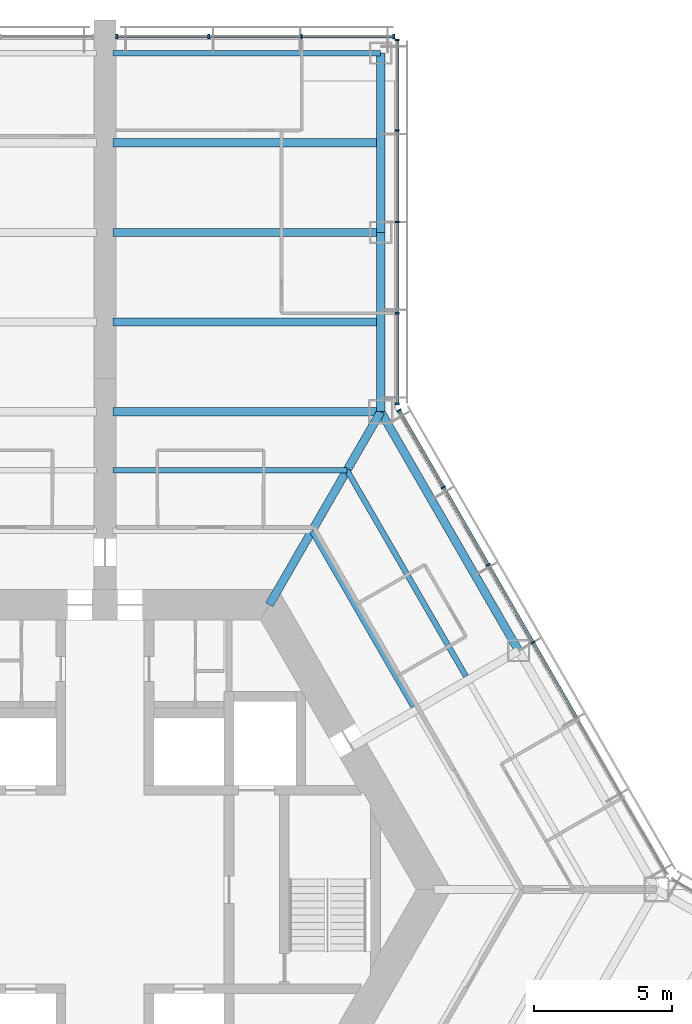
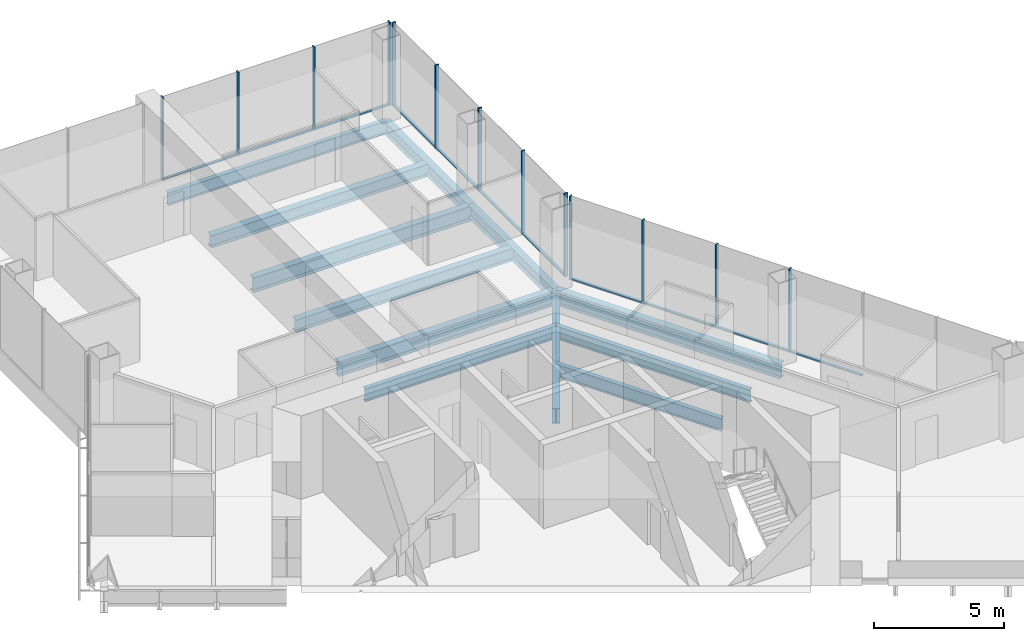
# One storey, part 8 of 18: 24 members, 12 beams, 3 elements without a shape of their own.
"""IFC4 building model written with IfcOpenShell, lengths in metres."""

from ifc_helpers import new_model, si_unit, direction, frame, origin, origin_2d, place, context, subcontext, project, spatial, rectangle, i_section, extrude, material, material_profile, profile_set, type_object, element, aggregate, save


model = new_model("IFC4")

# Units and contexts
model_context = context("Model", 3, precision=1e-05, world=origin(), true_north=direction((0.0, 1.0)))
body_context = subcontext(model_context, "Body", "Model", "MODEL_VIEW")
ifc_project = project(units=[si_unit("LENGTHUNIT", "METRE"), si_unit("AREAUNIT", "SQUARE_METRE"), si_unit("VOLUMEUNIT", "CUBIC_METRE"), si_unit("PLANEANGLEUNIT", "RADIAN"), si_unit("MASSUNIT", "GRAM", prefix="KILO")], contexts=[model_context])

# Site, building, storey
site_placement = place(None, origin())
site = spatial("IfcSite", under=ifc_project, at=site_placement, CompositionType="ELEMENT")
building_placement = place(site_placement, origin())
building = spatial("IfcBuilding", under=site, at=building_placement, Name="Kasaneha Research Tower", CompositionType="ELEMENT")
storey_placement = place(building_placement, frame((0.0, 0.0, 61.199951171875)))
storey = spatial("IfcBuildingStorey", under=building, at=storey_placement, Name="L15", CompositionType="ELEMENT", Elevation=61.199951171875)

# Beams
ifc_material_1 = material(Name="Steel SN490B", Category="steel")
ifc_material_profile_1 = material_profile(ifc_material_1, i_section(OverallWidth=0.199951171875, OverallDepth=0.60009765625, WebThickness=0.010986328125, FlangeThickness=0.01708984375, FilletRadius=0.012939453125, at=origin_2d()), Name="H-600x200x11x17")
ifc_profile_set_1 = profile_set([ifc_material_profile_1], Name="Steel SN490B")
beam_type_1 = type_object("IfcBeamType", Name="B1-3 secondary beam H-600x200x11x17", PredefinedType="JOIST", material=ifc_profile_set_1)
beam_1_placement = place(storey_placement, frame((7.505615234375, 13.0, -0.449951171875), z_axis=(0.499994443168, -0.866028611999, 0.0), x_axis=(0.866028611999, 0.499994443168, 0.0)))
element("IfcBeam", 1, at=beam_1_placement, inside=storey, type_object=beam_type_1, Name="Secondary beam RS030R1 L15", PredefinedType="JOIST", context=body_context, shape_type="SweptSolid", body=[
    extrude(i_section(OverallWidth=0.199951171875, OverallDepth=0.60009765625, WebThickness=0.010986328125, FlangeThickness=0.01708984375, FilletRadius=0.012939453125, at=origin_2d()), origin(), (0.0, 0.0, 1.0), 7.35546875),
])
beam_2_placement = place(storey_placement, frame((8.775634765625, 15.199951171875, -0.449951171875), z_axis=(0.500017275495, -0.866015429543, 0.0), x_axis=(0.866015429543, 0.500017275495, 0.0)))
element("IfcBeam", 2, at=beam_2_placement, inside=storey, type_object=beam_type_1, Name="Secondary beam RS030R2 L15", PredefinedType="JOIST", context=body_context, shape_type="SweptSolid", body=[
    extrude(i_section(OverallWidth=0.199951171875, OverallDepth=0.60009765625, WebThickness=0.010986328125, FlangeThickness=0.01708984375, FilletRadius=0.012939453125, at=origin_2d()), origin(), (0.0, 0.0, 1.0), 8.625732421875),
])
beam_3_placement = place(storey_placement, frame((8.775634765625, 15.199951171875, -0.449951171875), z_axis=(-1.0, 0.0, 0.0), x_axis=(0.0, -1.0, 0.0)))
element("IfcBeam", 3, at=beam_3_placement, inside=storey, type_object=beam_type_1, Name="Secondary beam RS090L2 L15", PredefinedType="JOIST", context=body_context, shape_type="SweptSolid", body=[
    extrude(i_section(OverallWidth=0.199951171875, OverallDepth=0.60009765625, WebThickness=0.010986328125, FlangeThickness=0.01708984375, FilletRadius=0.012939453125, at=origin_2d()), origin(), (0.0, 0.0, 1.0), 8.4755859375),
])
ifc_material_2 = material(Name="Steel SN490B", Category="steel")
ifc_material_profile_2 = material_profile(ifc_material_2, i_section(OverallWidth=0.300048828125, OverallDepth=0.58203125, WebThickness=0.011962890625, FlangeThickness=0.01708984375, FilletRadius=0.012939453125, at=origin_2d()), Name="H-582x300x12x17")
ifc_profile_set_2 = profile_set([ifc_material_profile_2], Name="Steel SN490B")
beam_type_2 = type_object("IfcBeamType", Name="B2-3 secondary beam H-582x300x12x17", PredefinedType="JOIST", material=ifc_profile_set_2)
for number, where, z_axis, x_axis, name in (
    (4, (10.0, 20.570556640625, -0.44091796875), (-1.0, 0.0, 0.0), (0.0, -1.0, 0.0), "Secondary beam WBAP1 L15"),
    (5, (10.0, 27.070556640625, -0.44091796875), (-1.0, 0.0, 0.0), (0.0, -1.0, 0.0), "Secondary beam WBAP2 L15"),
):
    element("IfcBeam", number, at=place(storey_placement, frame(where, z_axis=z_axis, x_axis=x_axis)), inside=storey, type_object=beam_type_2, Name=name, PredefinedType="JOIST", context=body_context, shape_type="SweptSolid", body=[
        extrude(i_section(OverallWidth=0.300048828125, OverallDepth=0.58203125, WebThickness=0.011962890625, FlangeThickness=0.01708984375, FilletRadius=0.012939453125, at=origin_2d()), origin(), (0.0, 0.0, 1.0), 9.699951171875),
    ])

# Curtain wall, members
ifc_material_3 = material(Name="Glass and aluminium", Category="aluminium")
curtain_wall_type = type_object("IfcCurtainWallType", Name="Low-rise office curtain wall", PredefinedType="USERDEFINED", material=ifc_material_3)
curtain_wall_1_placement = place(storey_placement, origin())
curtain_wall_1 = element("IfcCurtainWall", 6, at=curtain_wall_1_placement, inside=storey, type_object=curtain_wall_type, Name="CW-O1 L15 run 07a", ObjectType="UNITISED CURTAIN WALL", PredefinedType="USERDEFINED")
ifc_material_4 = material(Name="Aluminium 6063-T6", Category="aluminium")
ifc_material_profile_3 = material_profile(ifc_material_4, rectangle(XDim=0.06005859375, YDim=0.159912109375, at=origin_2d()), Name="CW-O1 mullion 60x160")
ifc_profile_set_3 = profile_set([ifc_material_profile_3], Name="Aluminium 6063-T6")
member_type_1 = type_object("IfcMemberType", Name="CW-O1 mullion", PredefinedType="MULLION", material=ifc_profile_set_3)
member_1_placement = place(storey_placement, frame((15.51953125, 8.960205078125, 0.0), z_axis=(0.0, 0.0, 1.0), x_axis=(-0.49999996188, 0.866025425793, 0.0)))
member_1 = element("IfcMember", 7, at=member_1_placement, type_object=member_type_1, Name="CW-O1 mullion 4", PredefinedType="MULLION", context=body_context, shape_type="SweptSolid", body=[
    extrude(rectangle(XDim=0.06005859375, YDim=0.159912109375, at=origin_2d()), origin(), (0.0, 0.0, 1.0), 3.900146484375),
])
member_2_placement = place(storey_placement, frame((13.896484375, 11.771728515625, 0.0), z_axis=(0.0, 0.0, 1.0), x_axis=(-0.49999996188, 0.866025425793, 0.0)))
member_2 = element("IfcMember", 8, at=member_2_placement, type_object=member_type_1, Name="CW-O1 mullion 5", PredefinedType="MULLION", context=body_context, shape_type="SweptSolid", body=[
    extrude(rectangle(XDim=0.06005859375, YDim=0.159912109375, at=origin_2d()), origin(), (0.0, 0.0, 1.0), 3.900146484375),
])
member_3_placement = place(storey_placement, frame((12.273193359375, 14.583251953125, 0.0), z_axis=(0.0, 0.0, 1.0), x_axis=(-0.49999996188, 0.866025425793, 0.0)))
member_3 = element("IfcMember", 9, at=member_3_placement, type_object=member_type_1, Name="CW-O1 mullion 6", PredefinedType="MULLION", context=body_context, shape_type="SweptSolid", body=[
    extrude(rectangle(XDim=0.06005859375, YDim=0.159912109375, at=origin_2d()), origin(), (0.0, 0.0, 1.0), 3.900146484375),
])
member_4_placement = place(storey_placement, frame((10.6650390625, 17.36865234375, 0.0), z_axis=(0.0, 0.0, 1.0), x_axis=(-0.49999996188, 0.866025425793, 0.0)))
member_4 = element("IfcMember", 10, at=member_4_placement, type_object=member_type_1, Name="CW-O1 mullion 7", PredefinedType="MULLION", context=body_context, shape_type="SweptSolid", body=[
    extrude(rectangle(XDim=0.06005859375, YDim=0.159912109375, at=origin_2d()), origin(), (0.0, 0.0, 1.0), 3.900146484375),
])

curtain_wall_2_placement = place(storey_placement, origin())
curtain_wall_2 = element("IfcCurtainWall", 11, at=curtain_wall_2_placement, inside=storey, type_object=curtain_wall_type, Name="CW-O1 L15 run 08a", ObjectType="UNITISED CURTAIN WALL", PredefinedType="USERDEFINED")
member_5_placement = place(storey_placement, frame((10.60009765625, 17.611328125, 0.0), z_axis=(0.0, 0.0, 1.0), x_axis=(0.0, 1.0, 0.0)))
member_5 = element("IfcMember", 12, at=member_5_placement, type_object=member_type_1, Name="CW-O1 mullion 1", PredefinedType="MULLION", context=body_context, shape_type="SweptSolid", body=[
    extrude(rectangle(XDim=0.06005859375, YDim=0.159912109375, at=origin_2d()), origin(), (0.0, 0.0, 1.0), 3.900146484375),
])
member_6_placement = place(storey_placement, frame((10.60009765625, 20.89111328125, 0.0), z_axis=(0.0, 0.0, 1.0), x_axis=(0.0, 1.0, 0.0)))
member_6 = element("IfcMember", 13, at=member_6_placement, type_object=member_type_1, Name="CW-O1 mullion 2", PredefinedType="MULLION", context=body_context, shape_type="SweptSolid", body=[
    extrude(rectangle(XDim=0.06005859375, YDim=0.159912109375, at=origin_2d()), origin(), (0.0, 0.0, 1.0), 3.900146484375),
])
member_7_placement = place(storey_placement, frame((10.60009765625, 24.200927734375, 0.0), z_axis=(0.0, 0.0, 1.0), x_axis=(0.0, 1.0, 0.0)))
member_7 = element("IfcMember", 14, at=member_7_placement, type_object=member_type_1, Name="CW-O1 mullion 3", PredefinedType="MULLION", context=body_context, shape_type="SweptSolid", body=[
    extrude(rectangle(XDim=0.06005859375, YDim=0.159912109375, at=origin_2d()), origin(), (0.0, 0.0, 1.0), 3.900146484375),
])
member_8_placement = place(storey_placement, frame((10.60009765625, 27.5107421875, 0.0), z_axis=(0.0, 0.0, 1.0), x_axis=(0.0, 1.0, 0.0)))
member_8 = element("IfcMember", 15, at=member_8_placement, type_object=member_type_1, Name="CW-O1 mullion 4", PredefinedType="MULLION", context=body_context, shape_type="SweptSolid", body=[
    extrude(rectangle(XDim=0.06005859375, YDim=0.159912109375, at=origin_2d()), origin(), (0.0, 0.0, 1.0), 3.900146484375),
])
member_9_placement = place(storey_placement, frame((10.60009765625, 30.79052734375, 0.0), z_axis=(0.0, 0.0, 1.0), x_axis=(0.0, 1.0, 0.0)))
member_9 = element("IfcMember", 16, at=member_9_placement, type_object=member_type_1, Name="CW-O1 mullion 5", PredefinedType="MULLION", context=body_context, shape_type="SweptSolid", body=[
    extrude(rectangle(XDim=0.06005859375, YDim=0.159912109375, at=origin_2d()), origin(), (0.0, 0.0, 1.0), 3.900146484375),
])

curtain_wall_3_placement = place(storey_placement, origin())
curtain_wall_3 = element("IfcCurtainWall", 17, at=curtain_wall_3_placement, inside=storey, type_object=curtain_wall_type, Name="CW-O1 L15 run 09a", ObjectType="UNITISED CURTAIN WALL", PredefinedType="USERDEFINED")
member_10_placement = place(storey_placement, frame((10.469970703125, 30.92041015625, 0.0), z_axis=(0.0, 0.0, 1.0), x_axis=(-1.0, 0.0, 0.0)))
member_10 = element("IfcMember", 18, at=member_10_placement, type_object=member_type_1, Name="CW-O1 mullion 1", PredefinedType="MULLION", context=body_context, shape_type="SweptSolid", body=[
    extrude(rectangle(XDim=0.06005859375, YDim=0.159912109375, at=origin_2d()), origin(), (0.0, 0.0, 1.0), 3.900146484375),
])
member_11_placement = place(storey_placement, frame((7.13330078125, 30.92041015625, 0.0), z_axis=(0.0, 0.0, 1.0), x_axis=(-1.0, 0.0, 0.0)))
member_11 = element("IfcMember", 19, at=member_11_placement, type_object=member_type_1, Name="CW-O1 mullion 2", PredefinedType="MULLION", context=body_context, shape_type="SweptSolid", body=[
    extrude(rectangle(XDim=0.06005859375, YDim=0.159912109375, at=origin_2d()), origin(), (0.0, 0.0, 1.0), 3.900146484375),
])
member_12_placement = place(storey_placement, frame((3.7666015625, 30.92041015625, 0.0), z_axis=(0.0, 0.0, 1.0), x_axis=(-1.0, 0.0, 0.0)))
member_12 = element("IfcMember", 20, at=member_12_placement, type_object=member_type_1, Name="CW-O1 mullion 3", PredefinedType="MULLION", context=body_context, shape_type="SweptSolid", body=[
    extrude(rectangle(XDim=0.06005859375, YDim=0.159912109375, at=origin_2d()), origin(), (0.0, 0.0, 1.0), 3.900146484375),
])
member_13_placement = place(storey_placement, frame((0.429931640625, 30.92041015625, 0.0), z_axis=(0.0, 0.0, 1.0), x_axis=(-1.0, 0.0, 0.0)))
member_13 = element("IfcMember", 21, at=member_13_placement, type_object=member_type_1, Name="CW-O1 mullion 4", PredefinedType="MULLION", context=body_context, shape_type="SweptSolid", body=[
    extrude(rectangle(XDim=0.06005859375, YDim=0.159912109375, at=origin_2d()), origin(), (0.0, 0.0, 1.0), 3.900146484375),
])

# Member
ifc_material_5 = material(Name="Aluminium 6063-T6", Category="aluminium")
ifc_material_profile_4 = material_profile(ifc_material_5, rectangle(XDim=0.1201171875, YDim=0.06005859375, at=origin_2d()), Name="CW-O1 transom 120x60")
ifc_profile_set_4 = profile_set([ifc_material_profile_4], Name="Aluminium 6063-T6")
member_type_2 = type_object("IfcMemberType", Name="CW-O1 transom", PredefinedType="USERDEFINED", material=ifc_profile_set_4)
member_14_placement = place(storey_placement, frame((17.1279296875, 6.1748046875, 0.030029296875), z_axis=(-0.500012062035, 0.866018439653, 0.0), x_axis=(-0.866018439653, -0.500012062035, 0.0)))
member_14 = element("IfcMember", 22, at=member_14_placement, type_object=member_type_2, Name="CW-O1 transom 3", ObjectType="TRANSOM", PredefinedType="USERDEFINED", context=body_context, shape_type="SweptSolid", body=[
    extrude(rectangle(XDim=0.1201171875, YDim=0.06005859375, at=origin_2d()), origin(), (0.0, 0.0, 1.0), 3.1865234375),
])

member_15_placement = place(storey_placement, frame((15.504638671875, 8.986328125, 0.030029296875), z_axis=(-0.500012062035, 0.866018439653, 0.0), x_axis=(-0.866018439653, -0.500012062035, 0.0)))
member_15 = element("IfcMember", 23, at=member_15_placement, type_object=member_type_2, Name="CW-O1 transom 4", ObjectType="TRANSOM", PredefinedType="USERDEFINED", context=body_context, shape_type="SweptSolid", body=[
    extrude(rectangle(XDim=0.1201171875, YDim=0.06005859375, at=origin_2d()), origin(), (0.0, 0.0, 1.0), 3.1865234375),
])

member_16_placement = place(storey_placement, frame((13.88134765625, 11.797607421875, 0.030029296875), z_axis=(-0.500012062035, 0.866018439653, 0.0), x_axis=(-0.866018439653, -0.500012062035, 0.0)))
member_16 = element("IfcMember", 24, at=member_16_placement, type_object=member_type_2, Name="CW-O1 transom 5", ObjectType="TRANSOM", PredefinedType="USERDEFINED", context=body_context, shape_type="SweptSolid", body=[
    extrude(rectangle(XDim=0.1201171875, YDim=0.06005859375, at=origin_2d()), origin(), (0.0, 0.0, 1.0), 3.1865234375),
])

member_17_placement = place(storey_placement, frame((12.25830078125, 14.609130859375, 0.030029296875), z_axis=(-0.500023726918, 0.866011704609, 0.0), x_axis=(-0.866011704609, -0.500023726918, 0.0)))
member_17 = element("IfcMember", 25, at=member_17_placement, type_object=member_type_2, Name="CW-O1 transom 6", ObjectType="TRANSOM", PredefinedType="USERDEFINED", context=body_context, shape_type="SweptSolid", body=[
    extrude(rectangle(XDim=0.1201171875, YDim=0.06005859375, at=origin_2d()), origin(), (0.0, 0.0, 1.0), 3.156494140625),
])

aggregate(curtain_wall_1, [member_1, member_2, member_3, member_4, member_14, member_15, member_16, member_17])

member_18_placement = place(storey_placement, frame((10.60009765625, 17.641357421875, 0.030029296875), z_axis=(0.0, 1.0, 0.0), x_axis=(-1.0, 0.0, 0.0)))
member_18 = element("IfcMember", 26, at=member_18_placement, type_object=member_type_2, Name="CW-O1 transom 1", ObjectType="TRANSOM", PredefinedType="USERDEFINED", context=body_context, shape_type="SweptSolid", body=[
    extrude(rectangle(XDim=0.1201171875, YDim=0.06005859375, at=origin_2d()), origin(), (0.0, 0.0, 1.0), 3.2197265625),
])

member_19_placement = place(storey_placement, frame((10.60009765625, 20.921142578125, 0.030029296875), z_axis=(0.0, 1.0, 0.0), x_axis=(-1.0, 0.0, 0.0)))
member_19 = element("IfcMember", 27, at=member_19_placement, type_object=member_type_2, Name="CW-O1 transom 2", ObjectType="TRANSOM", PredefinedType="USERDEFINED", context=body_context, shape_type="SweptSolid", body=[
    extrude(rectangle(XDim=0.1201171875, YDim=0.06005859375, at=origin_2d()), origin(), (0.0, 0.0, 1.0), 3.249755859375),
])

member_20_placement = place(storey_placement, frame((10.60009765625, 24.23095703125, 0.030029296875), z_axis=(0.0, 1.0, 0.0), x_axis=(-1.0, 0.0, 0.0)))
member_20 = element("IfcMember", 28, at=member_20_placement, type_object=member_type_2, Name="CW-O1 transom 3", ObjectType="TRANSOM", PredefinedType="USERDEFINED", context=body_context, shape_type="SweptSolid", body=[
    extrude(rectangle(XDim=0.1201171875, YDim=0.06005859375, at=origin_2d()), origin(), (0.0, 0.0, 1.0), 3.249755859375),
])

member_21_placement = place(storey_placement, frame((10.60009765625, 27.540771484375, 0.030029296875), z_axis=(0.0, 1.0, 0.0), x_axis=(-1.0, 0.0, 0.0)))
member_21 = element("IfcMember", 29, at=member_21_placement, type_object=member_type_2, Name="CW-O1 transom 4", ObjectType="TRANSOM", PredefinedType="USERDEFINED", context=body_context, shape_type="SweptSolid", body=[
    extrude(rectangle(XDim=0.1201171875, YDim=0.06005859375, at=origin_2d()), origin(), (0.0, 0.0, 1.0), 3.2197265625),
])

aggregate(curtain_wall_2, [member_5, member_6, member_7, member_8, member_9, member_18, member_19, member_20, member_21])

member_22_placement = place(storey_placement, frame((10.43994140625, 30.92041015625, 0.030029296875), z_axis=(-1.0, 0.0, 0.0), x_axis=(0.0, -1.0, 0.0)))
member_22 = element("IfcMember", 30, at=member_22_placement, type_object=member_type_2, Name="CW-O1 transom 1", ObjectType="TRANSOM", PredefinedType="USERDEFINED", context=body_context, shape_type="SweptSolid", body=[
    extrude(rectangle(XDim=0.1201171875, YDim=0.06005859375, at=origin_2d()), origin(), (0.0, 0.0, 1.0), 3.276611328125),
])

member_23_placement = place(storey_placement, frame((7.103271484375, 30.92041015625, 0.030029296875), z_axis=(-1.0, 0.0, 0.0), x_axis=(0.0, -1.0, 0.0)))
member_23 = element("IfcMember", 31, at=member_23_placement, type_object=member_type_2, Name="CW-O1 transom 2", ObjectType="TRANSOM", PredefinedType="USERDEFINED", context=body_context, shape_type="SweptSolid", body=[
    extrude(rectangle(XDim=0.1201171875, YDim=0.06005859375, at=origin_2d()), origin(), (0.0, 0.0, 1.0), 3.306640625),
])

member_24_placement = place(storey_placement, frame((3.736572265625, 30.92041015625, 0.030029296875), z_axis=(-1.0, 0.0, 0.0), x_axis=(0.0, -1.0, 0.0)))
member_24 = element("IfcMember", 32, at=member_24_placement, type_object=member_type_2, Name="CW-O1 transom 3", ObjectType="TRANSOM", PredefinedType="USERDEFINED", context=body_context, shape_type="SweptSolid", body=[
    extrude(rectangle(XDim=0.1201171875, YDim=0.06005859375, at=origin_2d()), origin(), (0.0, 0.0, 1.0), 3.276611328125),
])

aggregate(curtain_wall_3, [member_10, member_11, member_12, member_13, member_22, member_23, member_24])

# Beams
ifc_material_6 = material(Name="Steel SN490B", Category="steel")
ifc_material_profile_5 = material_profile(ifc_material_6, i_section(OverallWidth=0.300048828125, OverallDepth=0.699951171875, WebThickness=0.012939453125, FlangeThickness=0.02392578125, FilletRadius=0.01806640625, at=origin_2d()), Name="H-700x300x13x24")
ifc_profile_set_5 = profile_set([ifc_material_profile_5], Name="Steel SN490B")
beam_type_3 = type_object("IfcBeamType", Name="G1-3 radial girder H-700x300x13x24", PredefinedType="BEAM", material=ifc_profile_set_5)
beam_4_placement = place(storey_placement, frame((5.961181640625, 10.324951171875, -0.5), z_axis=(0.49999105496, 0.866030568144, 0.0), x_axis=(-0.866030568144, 0.49999105496, 0.0)))
element("IfcBeam", 33, at=beam_4_placement, inside=storey, type_object=beam_type_3, Name="Radial girder RV060 L15", PredefinedType="BEAM", context=body_context, shape_type="SweptSolid", body=[
    extrude(i_section(OverallWidth=0.300048828125, OverallDepth=0.699951171875, WebThickness=0.012939453125, FlangeThickness=0.02392578125, FilletRadius=0.01806640625, at=origin_2d()), origin(), (0.0, 0.0, 1.0), 8.077880859375),
])
ifc_material_7 = material(Name="Steel SN490B", Category="steel")
ifc_material_profile_6 = material_profile(ifc_material_7, i_section(OverallWidth=0.300048828125, OverallDepth=0.69189453125, WebThickness=0.012939453125, FlangeThickness=0.02001953125, FilletRadius=0.01806640625, at=origin_2d()), Name="H-692x300x13x20")
ifc_profile_set_6 = profile_set([ifc_material_profile_6], Name="Steel SN490B")
beam_type_4 = type_object("IfcBeamType", Name="G3-3 plate edge girder H-692x300x13x20", PredefinedType="BEAM", material=ifc_profile_set_6)
beam_5_placement = place(storey_placement, frame((10.0, 17.320556640625, -0.495849609375), z_axis=(-1.0, 0.0, 0.0), x_axis=(0.0, -1.0, 0.0)))
element("IfcBeam", 34, at=beam_5_placement, inside=storey, type_object=beam_type_4, Name="Plate edge girder PEAP L15", PredefinedType="BEAM", context=body_context, shape_type="SweptSolid", body=[
    extrude(i_section(OverallWidth=0.300048828125, OverallDepth=0.69189453125, WebThickness=0.012939453125, FlangeThickness=0.02001953125, FilletRadius=0.01806640625, at=origin_2d()), origin(), (0.0, 0.0, 1.0), 9.699951171875),
])
ifc_material_8 = material(Name="Steel SN490B", Category="steel")
ifc_material_profile_7 = material_profile(ifc_material_8, i_section(OverallWidth=0.300048828125, OverallDepth=0.699951171875, WebThickness=0.012939453125, FlangeThickness=0.02392578125, FilletRadius=0.01806640625, at=origin_2d()), Name="H-700x300x13x24")
ifc_profile_set_7 = profile_set([ifc_material_profile_7], Name="Steel SN490B")
beam_type_5 = type_object("IfcBeamType", Name="G4-3 wing girder H-700x300x13x24", PredefinedType="BEAM", material=ifc_profile_set_7)
beam_6_placement = place(storey_placement, frame((10.0, 23.820556640625, -0.5), z_axis=(-1.0, 0.0, 0.0), x_axis=(0.0, -1.0, 0.0)))
element("IfcBeam", 35, at=beam_6_placement, inside=storey, type_object=beam_type_5, Name="Wing girder WGAP L15", PredefinedType="BEAM", context=body_context, shape_type="SweptSolid", body=[
    extrude(i_section(OverallWidth=0.300048828125, OverallDepth=0.699951171875, WebThickness=0.012939453125, FlangeThickness=0.02392578125, FilletRadius=0.01806640625, at=origin_2d()), origin(), (0.0, 0.0, 1.0), 9.699951171875),
])
ifc_material_9 = material(Name="Steel SN490B", Category="steel")
ifc_material_profile_8 = material_profile(ifc_material_9, i_section(OverallWidth=0.300048828125, OverallDepth=0.69189453125, WebThickness=0.012939453125, FlangeThickness=0.02001953125, FilletRadius=0.01806640625, at=origin_2d()), Name="H-692x300x13x20")
ifc_profile_set_8 = profile_set([ifc_material_profile_8], Name="Steel SN490B")
beam_type_6 = type_object("IfcBeamType", Name="SB1-3 spandrel beam H-692x300x13x20", PredefinedType="SPANDREL", material=ifc_profile_set_8)
beam_7_placement = place(storey_placement, frame((10.0, 17.320556640625, -0.495849609375), z_axis=(0.499993662806, -0.866029062534, 0.0), x_axis=(0.866029062534, 0.499993662806, 0.0)))
element("IfcBeam", 36, at=beam_7_placement, inside=storey, type_object=beam_type_6, Name="Spandrel beam SR030R L15", PredefinedType="SPANDREL", context=body_context, shape_type="SweptSolid", body=[
    extrude(i_section(OverallWidth=0.300048828125, OverallDepth=0.69189453125, WebThickness=0.012939453125, FlangeThickness=0.02001953125, FilletRadius=0.01806640625, at=origin_2d()), origin(), (0.0, 0.0, 1.0), 10.000244140625),
])
ifc_material_10 = material(Name="Steel SN490B", Category="steel")
ifc_material_profile_9 = material_profile(ifc_material_10, i_section(OverallWidth=0.300048828125, OverallDepth=0.58203125, WebThickness=0.011962890625, FlangeThickness=0.01708984375, FilletRadius=0.012939453125, at=origin_2d()), Name="H-582x300x12x17")
ifc_profile_set_9 = profile_set([ifc_material_profile_9], Name="Steel SN490B")
beam_type_7 = type_object("IfcBeamType", Name="SB2-3 spandrel beam H-582x300x12x17", PredefinedType="SPANDREL", material=ifc_profile_set_9)
for number, where, z_axis, x_axis, name in (
    (37, (10.0, 17.320556640625, -0.44091796875), (0.0, 1.0, 0.0), (-1.0, 0.0, 0.0), "Spandrel beam WSAP1 L15"),
    (38, (10.0, 23.820556640625, -0.44091796875), (0.0, 1.0, 0.0), (-1.0, 0.0, 0.0), "Spandrel beam WSAP2 L15"),
):
    element("IfcBeam", number, at=place(storey_placement, frame(where, z_axis=z_axis, x_axis=x_axis)), inside=storey, type_object=beam_type_7, Name=name, PredefinedType="SPANDREL", context=body_context, shape_type="SweptSolid", body=[
        extrude(i_section(OverallWidth=0.300048828125, OverallDepth=0.58203125, WebThickness=0.011962890625, FlangeThickness=0.01708984375, FilletRadius=0.012939453125, at=origin_2d()), origin(), (0.0, 0.0, 1.0), 6.5),
    ])
ifc_material_11 = material(Name="Steel SN490B", Category="steel")
ifc_material_profile_10 = material_profile(ifc_material_11, i_section(OverallWidth=0.199951171875, OverallDepth=0.60009765625, WebThickness=0.010986328125, FlangeThickness=0.01708984375, FilletRadius=0.012939453125, at=origin_2d()), Name="H-600x200x11x17")
ifc_profile_set_10 = profile_set([ifc_material_profile_10], Name="Steel SN490B")
beam_type_8 = type_object("IfcBeamType", Name="SB3-3 spandrel beam H-600x200x11x17", PredefinedType="SPANDREL", material=ifc_profile_set_10)
beam_8_placement = place(storey_placement, frame((10.0, 30.320556640625, -0.449951171875), z_axis=(-1.0, 0.0, 0.0), x_axis=(0.0, -1.0, 0.0)))
element("IfcBeam", 39, at=beam_8_placement, inside=storey, type_object=beam_type_8, Name="Spandrel beam WTAP L15", PredefinedType="SPANDREL", context=body_context, shape_type="SweptSolid", body=[
    extrude(i_section(OverallWidth=0.199951171875, OverallDepth=0.60009765625, WebThickness=0.010986328125, FlangeThickness=0.01708984375, FilletRadius=0.012939453125, at=origin_2d()), origin(), (0.0, 0.0, 1.0), 9.699951171875),
])

save(model, "model.ifc")
